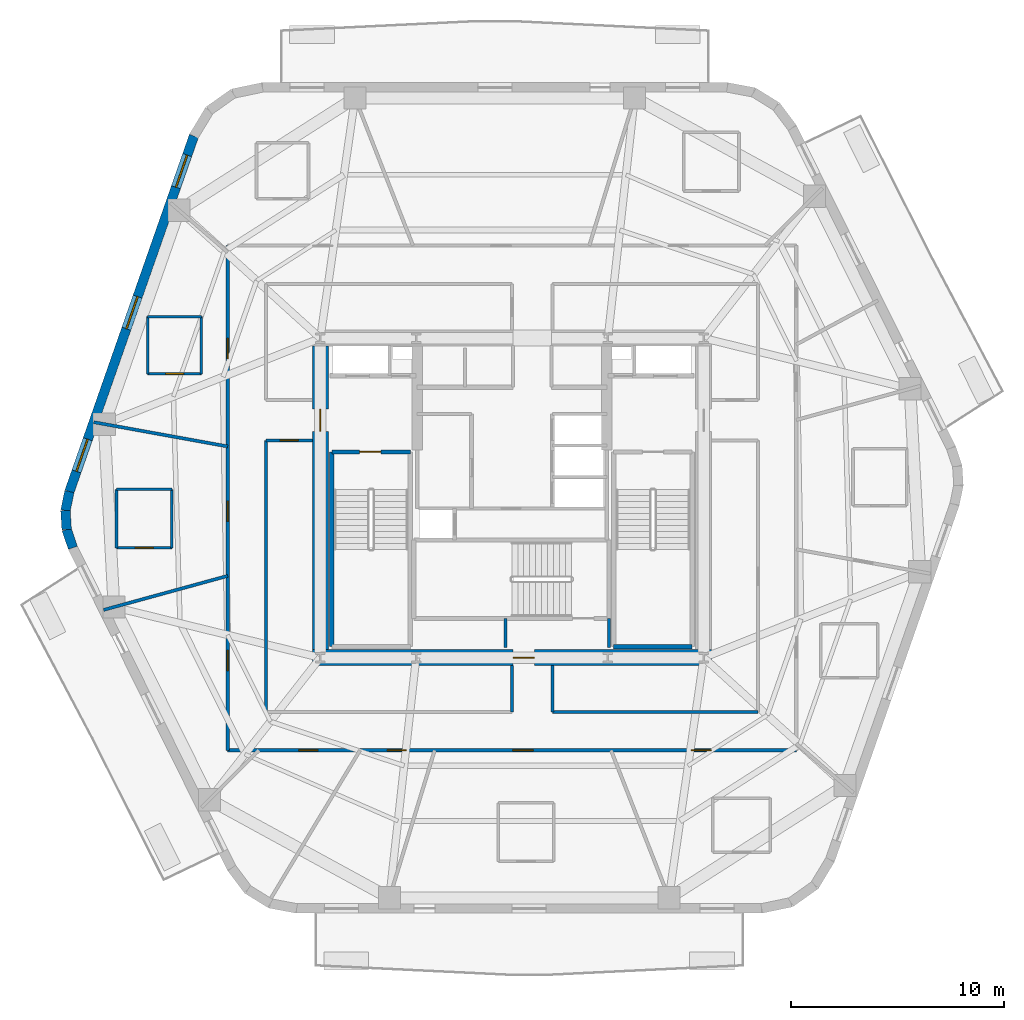
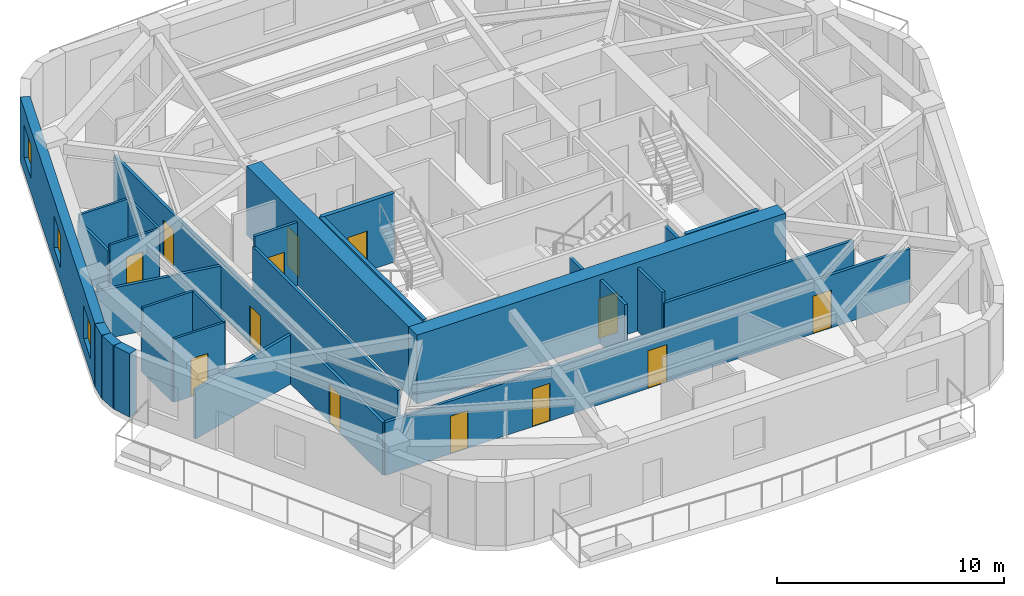
# One storey, part 3 of 10: 28 walls, 13 doors, 3 windows, 16 openings.
"""IFC4 building model written with IfcOpenShell, lengths in metres."""

from ifc_helpers import new_model, si_unit, direction, frame, frame_2d, origin, place, context, subcontext, project, spatial, rectangle, extrude, material, layer, layer_set, type_object, element, fill, save


model = new_model("IFC4")

# Units and contexts
model_context = context("Model", 3, precision=1e-05, world=origin(), true_north=direction((0.0, 1.0)))
body_context = subcontext(model_context, "Body", "Model", "MODEL_VIEW")
ifc_project = project(units=[si_unit("LENGTHUNIT", "METRE"), si_unit("AREAUNIT", "SQUARE_METRE"), si_unit("VOLUMEUNIT", "CUBIC_METRE"), si_unit("PLANEANGLEUNIT", "RADIAN"), si_unit("MASSUNIT", "GRAM", prefix="KILO")], contexts=[model_context])

# Site, building, storey
site_placement = place(None, origin())
site = spatial("IfcSite", under=ifc_project, at=site_placement, CompositionType="ELEMENT")
building_placement = place(site_placement, origin())
building = spatial("IfcBuilding", under=site, at=building_placement, Name="Kilnhurst Terrace Hotel", CompositionType="ELEMENT")
storey_placement = place(building_placement, frame((0.0, 0.0, 190.39990234375)))
storey = spatial("IfcBuildingStorey", under=building, at=storey_placement, Name="L47", CompositionType="ELEMENT", Elevation=190.39990234375)

# Walls
ifc_material_1 = material(Name="Precast concrete C40/50", Category="concrete")
ifc_layer_1 = layer(ifc_material_1, 0.449951171875, Name="Precast concrete C40/50")
ifc_layer_set_1 = layer_set([ifc_layer_1], Name="Precast concrete C40/50")
wall_type_1 = type_object("IfcWallType", Name="WL-BRK-450", PredefinedType="SOLIDWALL", material=ifc_layer_set_1)
wall_1_placement = place(storey_placement, frame((-20.78173828125, 0.298095703125, 0.0), z_axis=(0.0, 0.0, 1.0), x_axis=(-0.202570068411, -0.979267771033, 0.0)))
element("IfcWall", 1, at=wall_1_placement, inside=storey, type_object=wall_type_1, Name="L47 Rounded Corner Brick Wall C6.1", PredefinedType="SOLIDWALL", context=body_context, shape_type="SweptSolid", body=[
    extrude(rectangle(XDim=0.90869140625, YDim=0.449951171875, at=frame_2d((0.454345703125, 0.0))), origin(), (0.0, 0.0, 1.0), 3.400146484375),
])
wall_2_placement = place(storey_placement, frame((-20.9658203125, -0.591796875, 0.0), z_axis=(0.0, 0.0, 1.0), x_axis=(0.061748898935, -0.998091715966, 0.0)))
element("IfcWall", 2, at=wall_2_placement, inside=storey, type_object=wall_type_1, Name="L47 Rounded Corner Brick Wall C6.2", PredefinedType="SOLIDWALL", context=body_context, shape_type="SweptSolid", body=[
    extrude(rectangle(XDim=0.8935546875, YDim=0.449951171875, at=frame_2d((0.44677734375, 0.0))), origin(), (0.0, 0.0, 1.0), 3.400146484375),
])
wall_3_placement = place(storey_placement, frame((-20.91064453125, -1.483642578125, 0.0), z_axis=(0.0, 0.0, 1.0), x_axis=(0.321623334353, -0.946867694453, 0.0)))
element("IfcWall", 3, at=wall_3_placement, inside=storey, type_object=wall_type_1, Name="L47 Rounded Corner Brick Wall C6.3", PredefinedType="SOLIDWALL", context=body_context, shape_type="SweptSolid", body=[
    extrude(rectangle(XDim=0.90869140625, YDim=0.449951171875, at=frame_2d((0.454345703125, 0.0))), origin(), (0.0, 0.0, 1.0), 3.400146484375),
])

# Wall, openings, windows
wall_4_placement = place(storey_placement, frame((-14.936767578125, 16.993408203125, 0.0), z_axis=(0.0, 0.0, 1.0), x_axis=(-0.330431575061, -0.943829949834, 0.0)))
wall_4 = element("IfcWall", 4, at=wall_4_placement, inside=storey, type_object=wall_type_1, Name="L47 Exterior Brick Facade Wall F5", PredefinedType="SOLIDWALL", context=body_context, shape_type="SweptSolid", body=[
    extrude(rectangle(XDim=17.68896484375, YDim=0.449951171875, at=frame_2d((8.844482421875, 0.0))), origin(), (0.0, 0.0, 1.0), 3.400146484375),
])
opening_1_placement = place(wall_4_placement, frame((0.949951171875, 0.0, 0.800048828125)))
opening_1 = element("IfcOpeningElement", 5, at=opening_1_placement, cuts=wall_4, Name="Opening W-05", PredefinedType="OPENING", context=body_context, shape_type="SweptSolid", body=[
    extrude(rectangle(XDim=1.60009765625, YDim=1.75, at=frame_2d((0.800048828125, 0.875))), frame((0.0, 0.23486328125, 0.0), z_axis=(0.0, -1.0, 0.0), x_axis=(1.0, 0.0, 0.0)), (0.0, 0.0, 1.0), 0.469970703125),
])
opening_2_placement = place(wall_4_placement, frame((7.989990234375, 0.0, 0.800048828125)))
opening_2 = element("IfcOpeningElement", 6, at=opening_2_placement, cuts=wall_4, Name="Opening W-05", PredefinedType="OPENING", context=body_context, shape_type="SweptSolid", body=[
    extrude(rectangle(XDim=1.60009765625, YDim=1.75, at=frame_2d((0.800048828125, 0.875))), frame((0.0, 0.23486328125, 0.0), z_axis=(0.0, -1.0, 0.0), x_axis=(1.0, 0.0, 0.0)), (0.0, 0.0, 1.0), 0.469970703125),
])
opening_3_placement = place(wall_4_placement, frame((15.083984375, 0.0, 0.800048828125)))
opening_3 = element("IfcOpeningElement", 7, at=opening_3_placement, cuts=wall_4, Name="Opening W-05", PredefinedType="OPENING", context=body_context, shape_type="SweptSolid", body=[
    extrude(rectangle(XDim=1.60009765625, YDim=1.75, at=frame_2d((0.800048828125, 0.875))), frame((0.0, 0.23486328125, 0.0), z_axis=(0.0, -1.0, 0.0), x_axis=(1.0, 0.0, 0.0)), (0.0, 0.0, 1.0), 0.469970703125),
])
ifc_material_2 = material(Name="Thermally Broken Bronze Aluminium Alloy 6063-T6 and Low-E Glass", Category="aluminium")
window_type = type_object("IfcWindowType", Name="WIN-1600X1750", PartitioningType="SINGLE_PANEL", PredefinedType="WINDOW", material=ifc_material_2)
window_1_placement = place(opening_1_placement, origin())
window_1 = element("IfcWindow", 8, at=window_1_placement, inside=storey, type_object=window_type, Name="L47 Deep-Set Masonry Window F5.1", OverallHeight=1.75, OverallWidth=1.60009765625, PartitioningType="SINGLE_PANEL", PredefinedType="WINDOW", context=body_context, shape_type="SweptSolid", body=[
    extrude(rectangle(XDim=1.60009765625, YDim=1.75, at=frame_2d((0.800048828125, 0.875))), frame((0.0, 0.030029296875, 0.0), z_axis=(0.0, -1.0, 0.0), x_axis=(1.0, 0.0, 0.0)), (0.0, 0.0, 1.0), 0.06005859375),
])
fill(opening_1, window_1)
window_2_placement = place(opening_2_placement, origin())
window_2 = element("IfcWindow", 9, at=window_2_placement, inside=storey, type_object=window_type, Name="L47 Deep-Set Masonry Window F5.2", OverallHeight=1.75, OverallWidth=1.60009765625, PartitioningType="SINGLE_PANEL", PredefinedType="WINDOW", context=body_context, shape_type="SweptSolid", body=[
    extrude(rectangle(XDim=1.60009765625, YDim=1.75, at=frame_2d((0.800048828125, 0.875))), frame((0.0, 0.030029296875, 0.0), z_axis=(0.0, -1.0, 0.0), x_axis=(1.0, 0.0, 0.0)), (0.0, 0.0, 1.0), 0.06005859375),
])
fill(opening_2, window_2)
window_3_placement = place(opening_3_placement, origin())
window_3 = element("IfcWindow", 10, at=window_3_placement, inside=storey, type_object=window_type, Name="L47 Deep-Set Masonry Window F5.3", OverallHeight=1.75, OverallWidth=1.60009765625, PartitioningType="SINGLE_PANEL", PredefinedType="WINDOW", context=body_context, shape_type="SweptSolid", body=[
    extrude(rectangle(XDim=1.60009765625, YDim=1.75, at=frame_2d((0.800048828125, 0.875))), frame((0.0, 0.030029296875, 0.0), z_axis=(0.0, -1.0, 0.0), x_axis=(1.0, 0.0, 0.0)), (0.0, 0.0, 1.0), 0.06005859375),
])
fill(opening_3, window_3)

# Wall, openings, doors
ifc_material_3 = material(Name="Acoustic Double-Gypsum Corridor Partition Assembly")
ifc_layer_2 = layer(ifc_material_3, 0.14990234375, Name="Acoustic Double-Gypsum Corridor Partition Assembly")
ifc_layer_set_2 = layer_set([ifc_layer_2], Name="Acoustic Double-Gypsum Corridor Partition Assembly")
wall_type_2 = type_object("IfcWallType", Name="WL-COR-150", PredefinedType="PARTITIONING", material=ifc_layer_set_2)
wall_5_placement = place(storey_placement, frame((13.35009765625, -11.85009765625, 0.0), z_axis=(0.0, 0.0, 1.0), x_axis=(-1.0, 0.0, 0.0)))
wall_5 = element("IfcWall", 11, at=wall_5_placement, inside=storey, type_object=wall_type_2, Name="L47 Interior Wall WL-L47-COR-01", PredefinedType="PARTITIONING", context=body_context, shape_type="SweptSolid", body=[
    extrude(rectangle(XDim=26.7001953125, YDim=0.14990234375, at=frame_2d((13.35009765625, 0.0))), origin(), (0.0, 0.0, 1.0), 2.840087890625),
])
opening_4_placement = place(wall_5_placement, frame((22.458984375, 0.0, 0.0)))
opening_4 = element("IfcOpeningElement", 12, at=opening_4_placement, cuts=wall_5, Name="Opening D-60C", PredefinedType="OPENING", context=body_context, shape_type="SweptSolid", body=[
    extrude(rectangle(XDim=0.89990234375, YDim=2.030029296875, at=frame_2d((0.449951171875, 1.01513671875))), frame((0.0, 0.0849609375, 0.0), z_axis=(0.0, -1.0, 0.0), x_axis=(1.0, 0.0, 0.0)), (0.0, 0.0, 1.0), 0.169921875),
])
opening_5_placement = place(wall_5_placement, frame((18.303955078125, 0.0, 0.0)))
opening_5 = element("IfcOpeningElement", 13, at=opening_5_placement, cuts=wall_5, Name="Opening D-60C", PredefinedType="OPENING", context=body_context, shape_type="SweptSolid", body=[
    extrude(rectangle(XDim=0.89990234375, YDim=2.030029296875, at=frame_2d((0.449951171875, 1.01513671875))), frame((0.0, 0.0849609375, 0.0), z_axis=(0.0, -1.0, 0.0), x_axis=(1.0, 0.0, 0.0)), (0.0, 0.0, 1.0), 0.169921875),
])
opening_6_placement = place(wall_5_placement, frame((12.362060546875, 0.0, 0.0)))
opening_6 = element("IfcOpeningElement", 14, at=opening_6_placement, cuts=wall_5, Name="Opening D-60B", PredefinedType="OPENING", context=body_context, shape_type="SweptSolid", body=[
    extrude(rectangle(XDim=0.949951171875, YDim=2.030029296875, at=frame_2d((0.47509765625, 1.01513671875))), frame((0.0, 0.0849609375, 0.0), z_axis=(0.0, -1.0, 0.0), x_axis=(1.0, 0.0, 0.0)), (0.0, 0.0, 1.0), 0.169921875),
])
opening_7_placement = place(wall_5_placement, frame((3.9951171875, 0.0, 0.0)))
opening_7 = element("IfcOpeningElement", 15, at=opening_7_placement, cuts=wall_5, Name="Opening D-60B", PredefinedType="OPENING", context=body_context, shape_type="SweptSolid", body=[
    extrude(rectangle(XDim=0.949951171875, YDim=2.030029296875, at=frame_2d((0.47509765625, 1.01513671875))), frame((0.0, 0.0849609375, 0.0), z_axis=(0.0, -1.0, 0.0), x_axis=(1.0, 0.0, 0.0)), (0.0, 0.0, 1.0), 0.169921875),
])
ifc_material_4 = material(Name="Painted Solid-Core Service Fire Door")
door_type_1 = type_object("IfcDoorType", Name="DR-FD60-900", OperationType="NOTDEFINED", PredefinedType="DOOR", material=ifc_material_4)
door_1_placement = place(opening_4_placement, origin())
door_1 = element("IfcDoor", 16, at=door_1_placement, inside=storey, type_object=door_type_1, Name="L47 Botanical Reading Lounge Door 9", OperationType="SINGLE_SWING_LEFT", OverallHeight=2.030029296875, OverallWidth=0.89990234375, PredefinedType="DOOR", context=body_context, shape_type="SweptSolid", body=[
    extrude(rectangle(XDim=0.89990234375, YDim=2.030029296875, at=frame_2d((0.449951171875, 1.01513671875))), frame((0.0, 0.02490234375, 0.0), z_axis=(0.0, -1.0, 0.0), x_axis=(1.0, 0.0, 0.0)), (0.0, 0.0, 1.0), 0.050048828125),
])
fill(opening_4, door_1)
door_2_placement = place(opening_5_placement, origin())
door_2 = element("IfcDoor", 17, at=door_2_placement, inside=storey, type_object=door_type_1, Name="L47 Private Meeting Salon Door 10", OperationType="SINGLE_SWING_RIGHT", OverallHeight=2.030029296875, OverallWidth=0.89990234375, PredefinedType="DOOR", context=body_context, shape_type="SweptSolid", body=[
    extrude(rectangle(XDim=0.89990234375, YDim=2.030029296875, at=frame_2d((0.449951171875, 1.01513671875))), frame((0.0, 0.02490234375, 0.0), z_axis=(0.0, -1.0, 0.0), x_axis=(1.0, 0.0, 0.0)), (0.0, 0.0, 1.0), 0.050048828125),
])
fill(opening_5, door_2)
ifc_material_5 = material(Name="Acoustic Walnut Veneer Solid-Core Fire Door")
door_type_2 = type_object("IfcDoorType", Name="DR-FD60-950", OperationType="NOTDEFINED", PredefinedType="DOOR", material=ifc_material_5)
door_3_placement = place(opening_6_placement, origin())
door_3 = element("IfcDoor", 18, at=door_3_placement, inside=storey, type_object=door_type_2, Name="L47 Executive Suite Entry Door 11", OperationType="SINGLE_SWING_LEFT", OverallHeight=2.030029296875, OverallWidth=0.949951171875, PredefinedType="DOOR", context=body_context, shape_type="SweptSolid", body=[
    extrude(rectangle(XDim=0.949951171875, YDim=2.030029296875, at=frame_2d((0.47509765625, 1.01513671875))), frame((0.0, 0.02490234375, 0.0), z_axis=(0.0, -1.0, 0.0), x_axis=(1.0, 0.0, 0.0)), (0.0, 0.0, 1.0), 0.050048828125),
])
fill(opening_6, door_3)
door_4_placement = place(opening_7_placement, origin())
door_4 = element("IfcDoor", 19, at=door_4_placement, inside=storey, type_object=door_type_2, Name="L47 Executive Suite Entry Door 12", OperationType="SINGLE_SWING_RIGHT", OverallHeight=2.030029296875, OverallWidth=0.949951171875, PredefinedType="DOOR", context=body_context, shape_type="SweptSolid", body=[
    extrude(rectangle(XDim=0.949951171875, YDim=2.030029296875, at=frame_2d((0.47509765625, 1.01513671875))), frame((0.0, 0.02490234375, 0.0), z_axis=(0.0, -1.0, 0.0), x_axis=(1.0, 0.0, 0.0)), (0.0, 0.0, 1.0), 0.050048828125),
])
fill(opening_7, door_4)

wall_6_placement = place(storey_placement, frame((-13.35009765625, -11.85009765625, 0.0), z_axis=(0.0, 0.0, 1.0), x_axis=(0.0, 1.0, 0.0)))
wall_6 = element("IfcWall", 20, at=wall_6_placement, inside=storey, type_object=wall_type_2, Name="L47 Interior Wall WL-L47-COR-02", PredefinedType="PARTITIONING", context=body_context, shape_type="SweptSolid", body=[
    extrude(rectangle(XDim=23.7001953125, YDim=0.14990234375, at=frame_2d((11.85009765625, 0.0))), origin(), (0.0, 0.0, 1.0), 2.840087890625),
])
opening_8_placement = place(wall_6_placement, frame((18.388916015625, 0.0, 0.0)))
opening_8 = element("IfcOpeningElement", 21, at=opening_8_placement, cuts=wall_6, Name="Opening D-60B", PredefinedType="OPENING", context=body_context, shape_type="SweptSolid", body=[
    extrude(rectangle(XDim=0.949951171875, YDim=2.030029296875, at=frame_2d((0.47509765625, 1.01513671875))), frame((0.0, 0.0849609375, 0.0), z_axis=(0.0, -1.0, 0.0), x_axis=(1.0, 0.0, 0.0)), (0.0, 0.0, 1.0), 0.169921875),
])
opening_9_placement = place(wall_6_placement, frame((10.7509765625, 0.0, 0.0)))
opening_9 = element("IfcOpeningElement", 22, at=opening_9_placement, cuts=wall_6, Name="Opening D-60B", PredefinedType="OPENING", context=body_context, shape_type="SweptSolid", body=[
    extrude(rectangle(XDim=0.949951171875, YDim=2.030029296875, at=frame_2d((0.47509765625, 1.01513671875))), frame((0.0, 0.0849609375, 0.0), z_axis=(0.0, -1.0, 0.0), x_axis=(1.0, 0.0, 0.0)), (0.0, 0.0, 1.0), 0.169921875),
])
opening_10_placement = place(wall_6_placement, frame((3.739990234375, 0.0, 0.0)))
opening_10 = element("IfcOpeningElement", 23, at=opening_10_placement, cuts=wall_6, Name="Opening D-60B", PredefinedType="OPENING", context=body_context, shape_type="SweptSolid", body=[
    extrude(rectangle(XDim=0.949951171875, YDim=2.030029296875, at=frame_2d((0.47509765625, 1.01513671875))), frame((0.0, 0.0849609375, 0.0), z_axis=(0.0, -1.0, 0.0), x_axis=(1.0, 0.0, 0.0)), (0.0, 0.0, 1.0), 0.169921875),
])
door_5_placement = place(opening_8_placement, origin())
door_5 = element("IfcDoor", 24, at=door_5_placement, inside=storey, type_object=door_type_2, Name="L47 Guest Room Entry Door 6", OperationType="SINGLE_SWING_RIGHT", OverallHeight=2.030029296875, OverallWidth=0.949951171875, PredefinedType="DOOR", context=body_context, shape_type="SweptSolid", body=[
    extrude(rectangle(XDim=0.949951171875, YDim=2.030029296875, at=frame_2d((0.47509765625, 1.01513671875))), frame((0.0, 0.02490234375, 0.0), z_axis=(0.0, -1.0, 0.0), x_axis=(1.0, 0.0, 0.0)), (0.0, 0.0, 1.0), 0.050048828125),
])
fill(opening_8, door_5)
door_6_placement = place(opening_9_placement, origin())
door_6 = element("IfcDoor", 25, at=door_6_placement, inside=storey, type_object=door_type_2, Name="L47 Executive Suite Entry Door 7", OperationType="SINGLE_SWING_LEFT", OverallHeight=2.030029296875, OverallWidth=0.949951171875, PredefinedType="DOOR", context=body_context, shape_type="SweptSolid", body=[
    extrude(rectangle(XDim=0.949951171875, YDim=2.030029296875, at=frame_2d((0.47509765625, 1.01513671875))), frame((0.0, 0.02490234375, 0.0), z_axis=(0.0, -1.0, 0.0), x_axis=(1.0, 0.0, 0.0)), (0.0, 0.0, 1.0), 0.050048828125),
])
fill(opening_9, door_6)
door_7_placement = place(opening_10_placement, origin())
door_7 = element("IfcDoor", 26, at=door_7_placement, inside=storey, type_object=door_type_2, Name="L47 Fitness Studio Door", OperationType="SINGLE_SWING_RIGHT", OverallHeight=2.030029296875, OverallWidth=0.949951171875, PredefinedType="DOOR", context=body_context, shape_type="SweptSolid", body=[
    extrude(rectangle(XDim=0.949951171875, YDim=2.030029296875, at=frame_2d((0.47509765625, 1.01513671875))), frame((0.0, 0.02490234375, 0.0), z_axis=(0.0, -1.0, 0.0), x_axis=(1.0, 0.0, 0.0)), (0.0, 0.0, 1.0), 0.050048828125),
])
fill(opening_10, door_7)

# Wall, opening, door
wall_7_placement = place(storey_placement, frame((-9.375, 2.699951171875, 0.0), z_axis=(0.0, 0.0, 1.0), x_axis=(-1.0, 0.0, 0.0)))
wall_7 = element("IfcWall", 27, at=wall_7_placement, inside=storey, type_object=wall_type_2, Name="L47 Interior Wall WL-L47-COR-15", PredefinedType="PARTITIONING", context=body_context, shape_type="SweptSolid", body=[
    extrude(rectangle(XDim=2.175048828125, YDim=0.14990234375, at=frame_2d((1.08740234375, 0.0))), origin(), (0.0, 0.0, 1.0), 3.400146484375),
])
opening_11_placement = place(wall_7_placement, frame((0.6630859375, 0.0, 0.0)))
opening_11 = element("IfcOpeningElement", 28, at=opening_11_placement, cuts=wall_7, Name="Opening D-60D", PredefinedType="OPENING", context=body_context, shape_type="SweptSolid", body=[
    extrude(rectangle(XDim=0.85009765625, YDim=2.030029296875, at=frame_2d((0.425048828125, 1.01513671875))), frame((0.0, 0.0849609375, 0.0), z_axis=(0.0, -1.0, 0.0), x_axis=(1.0, 0.0, 0.0)), (0.0, 0.0, 1.0), 0.169921875),
])
ifc_material_6 = material(Name="Painted Hollow Metal Steel ASTM A36 Riser Door", Category="steel")
door_type_3 = type_object("IfcDoorType", Name="DR-FD60-850", OperationType="NOTDEFINED", PredefinedType="DOOR", material=ifc_material_6)
door_8_placement = place(opening_11_placement, origin())
door_8 = element("IfcDoor", 29, at=door_8_placement, inside=storey, type_object=door_type_3, Name="L47 Floor Linen Storage Room Door", OperationType="SINGLE_SWING_LEFT", OverallHeight=2.030029296875, OverallWidth=0.85009765625, PredefinedType="DOOR", context=body_context, shape_type="SweptSolid", body=[
    extrude(rectangle(XDim=0.85009765625, YDim=2.030029296875, at=frame_2d((0.425048828125, 1.01513671875))), frame((0.0, 0.02490234375, 0.0), z_axis=(0.0, -1.0, 0.0), x_axis=(1.0, 0.0, 0.0)), (0.0, 0.0, 1.0), 0.050048828125),
])
fill(opening_11, door_8)

# Walls
wall_8_placement = place(storey_placement, frame((-11.550048828125, 2.699951171875, 0.0), z_axis=(0.0, 0.0, 1.0), x_axis=(0.0, -1.0, 0.0)))
element("IfcWall", 30, at=wall_8_placement, inside=storey, type_object=wall_type_2, Name="L47 Interior Wall WL-L47-COR-16", PredefinedType="PARTITIONING", context=body_context, shape_type="SweptSolid", body=[
    extrude(rectangle(XDim=12.75, YDim=0.14990234375, at=frame_2d((6.375, 0.0))), origin(), (0.0, 0.0, 1.0), 2.840087890625),
])
for number, where, z_axis, x_axis, name in (
    (31, (0.0, -10.050048828125, 0.0), (0.0, 0.0, 1.0), (0.0, 1.0, 0.0), "L47 Interior Wall WL-L47-COR-18"),
    (32, (1.89990234375, -7.875, 0.0), (0.0, 0.0, 1.0), (0.0, -1.0, 0.0), "L47 Interior Wall WL-L47-COR-19"),
):
    element("IfcWall", number, at=place(storey_placement, frame(where, z_axis=z_axis, x_axis=x_axis)), inside=storey, type_object=wall_type_2, Name=name, PredefinedType="PARTITIONING", context=body_context, shape_type="SweptSolid", body=[
        extrude(rectangle(XDim=2.175048828125, YDim=0.14990234375, at=frame_2d((1.08740234375, 0.0))), origin(), (0.0, 0.0, 1.0), 3.400146484375),
    ])
wall_9_placement = place(storey_placement, frame((1.89990234375, -10.050048828125, 0.0), z_axis=(0.0, 0.0, 1.0), x_axis=(1.0, 0.0, 0.0)))
element("IfcWall", 33, at=wall_9_placement, inside=storey, type_object=wall_type_2, Name="L47 Interior Wall WL-L47-COR-20", PredefinedType="PARTITIONING", context=body_context, shape_type="SweptSolid", body=[
    extrude(rectangle(XDim=9.650146484375, YDim=0.14990234375, at=frame_2d((4.8251953125, 0.0))), origin(), (0.0, 0.0, 1.0), 2.840087890625),
])

# Wall, opening, door
ifc_material_7 = material(Name="Concrete C60/75", Category="concrete")
ifc_layer_3 = layer(ifc_material_7, 0.75, Name="Concrete C60/75")
ifc_layer_set_3 = layer_set([ifc_layer_3], Name="Concrete C60/75")
wall_type_3 = type_object("IfcWallType", Name="WL-CORE-750", PredefinedType="SHEAR", material=ifc_layer_set_3)
wall_10_placement = place(storey_placement, frame((-9.375, -7.5, 0.0), z_axis=(0.0, 0.0, 1.0), x_axis=(1.0, 0.0, 0.0)))
wall_10 = element("IfcWall", 34, at=wall_10_placement, inside=storey, type_object=wall_type_3, Name="L47 Core South Shear Wall", PredefinedType="SHEAR", context=body_context, shape_type="SweptSolid", body=[
    extrude(rectangle(XDim=18.75, YDim=0.75, at=frame_2d((9.375, 0.0))), origin(), (0.0, 0.0, 1.0), 3.7001953125),
])
opening_12_placement = place(wall_10_placement, frame((9.425048828125, 0.0, 0.0)))
opening_12 = element("IfcOpeningElement", 35, at=opening_12_placement, cuts=wall_10, Name="Opening D-90B", PredefinedType="OPENING", context=body_context, shape_type="SweptSolid", body=[
    extrude(rectangle(XDim=1.0, YDim=2.14990234375, at=frame_2d((0.5, 1.074951171875))), frame((0.0, 0.385009765625, 0.0), z_axis=(0.0, -1.0, 0.0), x_axis=(1.0, 0.0, 0.0)), (0.0, 0.0, 1.0), 0.77001953125),
])
ifc_material_8 = material(Name="Painted Hollow Metal Steel ASTM A36 Fire Door", Category="steel")
door_type_4 = type_object("IfcDoorType", Name="DR-FD90-1000", OperationType="NOTDEFINED", PredefinedType="DOOR", material=ifc_material_8)
door_9_placement = place(opening_12_placement, origin())
door_9 = element("IfcDoor", 36, at=door_9_placement, inside=storey, type_object=door_type_4, Name="L47 Stair ST-3 Corridor Door", OperationType="SINGLE_SWING_RIGHT", OverallHeight=2.14990234375, OverallWidth=1.0, PredefinedType="DOOR", context=body_context, shape_type="SweptSolid", body=[
    extrude(rectangle(XDim=1.0, YDim=2.14990234375, at=frame_2d((0.5, 1.074951171875))), frame((0.0, 0.02490234375, 0.0), z_axis=(0.0, -1.0, 0.0), x_axis=(1.0, 0.0, 0.0)), (0.0, 0.0, 1.0), 0.050048828125),
])
fill(opening_12, door_9)

wall_11_placement = place(storey_placement, frame((-9.0, -7.125, 0.0), z_axis=(0.0, 0.0, 1.0), x_axis=(0.0, 1.0, 0.0)))
wall_11 = element("IfcWall", 37, at=wall_11_placement, inside=storey, type_object=wall_type_3, Name="L47 Core West Shear Wall", PredefinedType="SHEAR", context=body_context, shape_type="SweptSolid", body=[
    extrude(rectangle(XDim=14.25, YDim=0.75, at=frame_2d((7.125, 0.0))), origin(), (0.0, 0.0, 1.0), 3.7001953125),
])
opening_13_placement = place(wall_11_placement, frame((10.25, 0.0, 0.0)))
opening_13 = element("IfcOpeningElement", 38, at=opening_13_placement, cuts=wall_11, Name="Opening D-90A", PredefinedType="OPENING", context=body_context, shape_type="SweptSolid", body=[
    extrude(rectangle(XDim=1.050048828125, YDim=2.14990234375, at=frame_2d((0.52490234375, 1.074951171875))), frame((0.0, 0.385009765625, 0.0), z_axis=(0.0, -1.0, 0.0), x_axis=(1.0, 0.0, 0.0)), (0.0, 0.0, 1.0), 0.77001953125),
])
door_type_5 = type_object("IfcDoorType", Name="DR-FD90-1050", OperationType="NOTDEFINED", PredefinedType="DOOR", material=ifc_material_8)
door_10_placement = place(opening_13_placement, origin())
door_10 = element("IfcDoor", 39, at=door_10_placement, inside=storey, type_object=door_type_5, Name="L47 West Firefighting Lobby Door", OperationType="SINGLE_SWING_RIGHT", OverallHeight=2.14990234375, OverallWidth=1.050048828125, PredefinedType="DOOR", context=body_context, shape_type="SweptSolid", body=[
    extrude(rectangle(XDim=1.050048828125, YDim=2.14990234375, at=frame_2d((0.52490234375, 1.074951171875))), frame((0.0, 0.02490234375, 0.0), z_axis=(0.0, -1.0, 0.0), x_axis=(1.0, 0.0, 0.0)), (0.0, 0.0, 1.0), 0.050048828125),
])
fill(opening_13, door_10)

# Walls
ifc_material_9 = material(Name="STC-58 Acoustic Twin-Frame Guestroom Demising Partition")
ifc_layer_4 = layer(ifc_material_9, 0.14990234375, Name="STC-58 Acoustic Twin-Frame Guestroom Demising Partition")
ifc_layer_set_4 = layer_set([ifc_layer_4], Name="STC-58 Acoustic Twin-Frame Guestroom Demising Partition")
wall_type_4 = type_object("IfcWallType", Name="WL-DEM-150", PredefinedType="PARTITIONING", material=ifc_layer_set_4)
wall_12_placement = place(storey_placement, frame((-13.35009765625, 2.417236328125, 0.0), z_axis=(0.0, 0.0, 1.0), x_axis=(-0.98399796473, 0.178179699761, 0.0)))
element("IfcWall", 40, at=wall_12_placement, inside=storey, type_object=wall_type_4, Name="L47 Interior Wall WL-L47-DEM-COL06-07-1", PredefinedType="PARTITIONING", context=body_context, shape_type="SweptSolid", body=[
    extrude(rectangle(XDim=6.393310546875, YDim=0.14990234375, at=frame_2d((3.19677734375, 0.0))), origin(), (0.0, 0.0, 1.0), 2.64013671875),
])
wall_13_placement = place(storey_placement, frame((-13.35009765625, -3.66064453125, 0.0), z_axis=(0.0, 0.0, 1.0), x_axis=(-0.964397145454, -0.264458211898, 0.0)))
element("IfcWall", 41, at=wall_13_placement, inside=storey, type_object=wall_type_4, Name="L47 Interior Wall WL-L47-DEM-COL07-08-1", PredefinedType="PARTITIONING", context=body_context, shape_type="SweptSolid", body=[
    extrude(rectangle(XDim=6.03857421875, YDim=0.14990234375, at=frame_2d((3.019287109375, 0.0))), origin(), (0.0, 0.0, 1.0), 2.64013671875),
])

# Wall, opening, door
ifc_material_10 = material(Name="120 mm Moisture-Resistant Tile-Backed Bathroom Partition")
ifc_layer_5 = layer(ifc_material_10, 0.1201171875, Name="120 mm Moisture-Resistant Tile-Backed Bathroom Partition")
ifc_layer_set_5 = layer_set([ifc_layer_5], Name="120 mm Moisture-Resistant Tile-Backed Bathroom Partition")
wall_type_5 = type_object("IfcWallType", Name="WL-PART-120", PredefinedType="PARTITIONING", material=ifc_layer_set_5)
wall_14_placement = place(storey_placement, frame((-17.10302734375, 5.8291015625, 0.0), z_axis=(0.0, 0.0, 1.0), x_axis=(1.0, 0.0, 0.0)))
wall_14 = element("IfcWall", 42, at=wall_14_placement, inside=storey, type_object=wall_type_5, Name="L47 Interior Wall WL-L47-BTH-06-1", PredefinedType="PARTITIONING", context=body_context, shape_type="SweptSolid", body=[
    extrude(rectangle(XDim=2.52001953125, YDim=0.1201171875, at=frame_2d((1.260009765625, 0.0))), origin(), (0.0, 0.0, 1.0), 2.972412109375),
])
opening_14_placement = place(wall_14_placement, frame((0.8349609375, 0.0, 0.0)))
opening_14 = element("IfcOpeningElement", 43, at=opening_14_placement, cuts=wall_14, Name="Opening D-08A", PredefinedType="OPENING", context=body_context, shape_type="SweptSolid", body=[
    extrude(rectangle(XDim=0.85009765625, YDim=2.030029296875, at=frame_2d((0.425048828125, 1.01513671875))), frame((0.0, 0.070068359375, 0.0), z_axis=(0.0, -1.0, 0.0), x_axis=(1.0, 0.0, 0.0)), (0.0, 0.0, 1.0), 0.14013671875),
])
ifc_material_11 = material(Name="Moisture-Resistant Lacquered En-suite Bathroom Door")
door_type_6 = type_object("IfcDoorType", Name="DR-INT-850", OperationType="NOTDEFINED", PredefinedType="DOOR", material=ifc_material_11)
door_11_placement = place(opening_14_placement, origin())
door_11 = element("IfcDoor", 44, at=door_11_placement, inside=storey, type_object=door_type_6, Name="L47 En-suite Bathroom Door 6", OperationType="SINGLE_SWING_LEFT", OverallHeight=2.030029296875, OverallWidth=0.85009765625, PredefinedType="DOOR", context=body_context, shape_type="SweptSolid", body=[
    extrude(rectangle(XDim=0.85009765625, YDim=2.030029296875, at=frame_2d((0.425048828125, 1.01513671875))), frame((0.0, 0.02490234375, 0.0), z_axis=(0.0, -1.0, 0.0), x_axis=(1.0, 0.0, 0.0)), (0.0, 0.0, 1.0), 0.050048828125),
])
fill(opening_14, door_11)

# Walls
wall_15_placement = place(storey_placement, frame((-14.5830078125, 5.8291015625, 0.0), z_axis=(0.0, 0.0, 1.0), x_axis=(0.0, 1.0, 0.0)))
element("IfcWall", 45, at=wall_15_placement, inside=storey, type_object=wall_type_5, Name="L47 Interior Wall WL-L47-BTH-06-2", PredefinedType="PARTITIONING", context=body_context, shape_type="SweptSolid", body=[
    extrude(rectangle(XDim=2.679931640625, YDim=0.1201171875, at=frame_2d((1.33984375, 0.0))), origin(), (0.0, 0.0, 1.0), 2.972412109375),
])
wall_16_placement = place(storey_placement, frame((-14.5830078125, 8.509033203125, 0.0), z_axis=(0.0, 0.0, 1.0), x_axis=(-1.0, 0.0, 0.0)))
element("IfcWall", 46, at=wall_16_placement, inside=storey, type_object=wall_type_5, Name="L47 Interior Wall WL-L47-BTH-06-3", PredefinedType="PARTITIONING", context=body_context, shape_type="SweptSolid", body=[
    extrude(rectangle(XDim=2.52001953125, YDim=0.1201171875, at=frame_2d((1.260009765625, 0.0))), origin(), (0.0, 0.0, 1.0), 2.972412109375),
])
wall_17_placement = place(storey_placement, frame((-17.10302734375, 8.509033203125, 0.0), z_axis=(0.0, 0.0, 1.0), x_axis=(0.0, -1.0, 0.0)))
element("IfcWall", 47, at=wall_17_placement, inside=storey, type_object=wall_type_5, Name="L47 Interior Wall WL-L47-BTH-06-4", PredefinedType="PARTITIONING", context=body_context, shape_type="SweptSolid", body=[
    extrude(rectangle(XDim=2.679931640625, YDim=0.1201171875, at=frame_2d((1.33984375, 0.0))), origin(), (0.0, 0.0, 1.0), 2.64013671875),
])

# Wall, opening, door
wall_18_placement = place(storey_placement, frame((-18.570068359375, -2.347900390625, 0.0), z_axis=(0.0, 0.0, 1.0), x_axis=(1.0, 0.0, 0.0)))
wall_18 = element("IfcWall", 48, at=wall_18_placement, inside=storey, type_object=wall_type_5, Name="L47 Interior Wall WL-L47-BTH-07-1", PredefinedType="PARTITIONING", context=body_context, shape_type="SweptSolid", body=[
    extrude(rectangle(XDim=2.60009765625, YDim=0.1201171875, at=frame_2d((1.300048828125, 0.0))), origin(), (0.0, 0.0, 1.0), 3.400146484375),
])
opening_15_placement = place(wall_18_placement, frame((0.875, 0.0, 0.0)))
opening_15 = element("IfcOpeningElement", 49, at=opening_15_placement, cuts=wall_18, Name="Opening D-08A", PredefinedType="OPENING", context=body_context, shape_type="SweptSolid", body=[
    extrude(rectangle(XDim=0.85009765625, YDim=2.030029296875, at=frame_2d((0.425048828125, 1.01513671875))), frame((0.0, 0.070068359375, 0.0), z_axis=(0.0, -1.0, 0.0), x_axis=(1.0, 0.0, 0.0)), (0.0, 0.0, 1.0), 0.14013671875),
])
door_12_placement = place(opening_15_placement, origin())
door_12 = element("IfcDoor", 50, at=door_12_placement, inside=storey, type_object=door_type_6, Name="L47 En-suite Bathroom Door 7", OperationType="SINGLE_SWING_RIGHT", OverallHeight=2.030029296875, OverallWidth=0.85009765625, PredefinedType="DOOR", context=body_context, shape_type="SweptSolid", body=[
    extrude(rectangle(XDim=0.85009765625, YDim=2.030029296875, at=frame_2d((0.425048828125, 1.01513671875))), frame((0.0, 0.02490234375, 0.0), z_axis=(0.0, -1.0, 0.0), x_axis=(1.0, 0.0, 0.0)), (0.0, 0.0, 1.0), 0.050048828125),
])
fill(opening_15, door_12)

# Walls
wall_19_placement = place(storey_placement, frame((-15.969970703125, -2.347900390625, 0.0), z_axis=(0.0, 0.0, 1.0), x_axis=(0.0, 1.0, 0.0)))
element("IfcWall", 51, at=wall_19_placement, inside=storey, type_object=wall_type_5, Name="L47 Interior Wall WL-L47-BTH-07-2", PredefinedType="PARTITIONING", context=body_context, shape_type="SweptSolid", body=[
    extrude(rectangle(XDim=2.75, YDim=0.1201171875, at=frame_2d((1.375, 0.0))), origin(), (0.0, 0.0, 1.0), 3.400146484375),
])
wall_20_placement = place(storey_placement, frame((-15.969970703125, 0.402099609375, 0.0), z_axis=(0.0, 0.0, 1.0), x_axis=(-1.0, 0.0, 0.0)))
element("IfcWall", 52, at=wall_20_placement, inside=storey, type_object=wall_type_5, Name="L47 Interior Wall WL-L47-BTH-07-3", PredefinedType="PARTITIONING", context=body_context, shape_type="SweptSolid", body=[
    extrude(rectangle(XDim=2.60009765625, YDim=0.1201171875, at=frame_2d((1.300048828125, 0.0))), origin(), (0.0, 0.0, 1.0), 3.400146484375),
])
wall_21_placement = place(storey_placement, frame((-18.570068359375, 0.402099609375, 0.0), z_axis=(0.0, 0.0, 1.0), x_axis=(0.0, -1.0, 0.0)))
element("IfcWall", 53, at=wall_21_placement, inside=storey, type_object=wall_type_5, Name="L47 Interior Wall WL-L47-BTH-07-4", PredefinedType="PARTITIONING", context=body_context, shape_type="SweptSolid", body=[
    extrude(rectangle(XDim=2.75, YDim=0.1201171875, at=frame_2d((1.375, 0.0))), origin(), (0.0, 0.0, 1.0), 2.64013671875),
])
ifc_material_12 = material(Name="Fire-Rated Gypsum Shaftliner Assembly")
ifc_layer_6 = layer(ifc_material_12, 0.14990234375, Name="Fire-Rated Gypsum Shaftliner Assembly")
ifc_layer_set_6 = layer_set([ifc_layer_6], Name="Fire-Rated Gypsum Shaftliner Assembly")
wall_type_6 = type_object("IfcWallType", Name="WL-SHAFT-150", PredefinedType="PARTITIONING", material=ifc_layer_set_6)
for number, where, z_axis, x_axis, name in (
    (54, (-0.300048828125, -7.02001953125, 0.0), (0.0, 0.0, 1.0), (0.0, 1.0, 0.0), "L47 Interior Wall WL-L47-ST3-PSGW"),
    (55, (4.55810546875, -7.02001953125, 0.0), (0.0, 0.0, 1.0), (0.0, 1.0, 0.0), "L47 Interior Wall WL-L47-ST3-PSGE"),
):
    element("IfcWall", number, at=place(storey_placement, frame(where, z_axis=z_axis, x_axis=x_axis)), inside=storey, type_object=wall_type_6, Name=name, PredefinedType="PARTITIONING", context=body_context, shape_type="SweptSolid", body=[
        extrude(rectangle(XDim=1.362060546875, YDim=0.14990234375, at=frame_2d((0.68115234375, 0.0))), origin(), (0.0, 0.0, 1.0), 3.400146484375),
    ])
ifc_material_13 = material(Name="Concrete C50/60", Category="concrete")
ifc_layer_7 = layer(ifc_material_13, 0.199951171875, Name="Concrete C50/60")
ifc_layer_set_7 = layer_set([ifc_layer_7], Name="Concrete C50/60")
wall_type_7 = type_object("IfcWallType", Name="WL-STAIR-RC-200", PredefinedType="SHEAR", material=ifc_layer_set_7)
wall_22_placement = place(storey_placement, frame((-8.4580078125, -6.985107421875, 0.0), z_axis=(0.0, 0.0, 1.0), x_axis=(0.0, 1.0, 0.0)))
element("IfcWall", 56, at=wall_22_placement, inside=storey, type_object=wall_type_7, Name="L47 Structural Stair Shaft Wall WL-L47-ST1-W", PredefinedType="SHEAR", context=body_context, shape_type="SweptSolid", body=[
    extrude(rectangle(XDim=9.14306640625, YDim=0.199951171875, at=frame_2d((4.571533203125, 0.0))), origin(), (0.0, 0.0, 1.0), 3.7001953125),
])

# Wall, opening, door
wall_23_placement = place(storey_placement, frame((-8.4580078125, 2.157958984375, 0.0), z_axis=(0.0, 0.0, 1.0), x_axis=(1.0, 0.0, 0.0)))
wall_23 = element("IfcWall", 57, at=wall_23_placement, inside=storey, type_object=wall_type_7, Name="L47 Structural Stair Shaft Wall WL-L47-ST1-N", PredefinedType="SHEAR", context=body_context, shape_type="SweptSolid", body=[
    extrude(rectangle(XDim=3.68603515625, YDim=0.199951171875, at=frame_2d((1.843017578125, 0.0))), origin(), (0.0, 0.0, 1.0), 3.7001953125),
])
opening_16_placement = place(wall_23_placement, frame((1.300048828125, 0.0, 0.0)))
opening_16 = element("IfcOpeningElement", 58, at=opening_16_placement, cuts=wall_23, Name="Opening D-90B", PredefinedType="OPENING", context=body_context, shape_type="SweptSolid", body=[
    extrude(rectangle(XDim=1.0, YDim=2.14990234375, at=frame_2d((0.5, 1.074951171875))), frame((0.0, 0.10986328125, 0.0), z_axis=(0.0, -1.0, 0.0), x_axis=(1.0, 0.0, 0.0)), (0.0, 0.0, 1.0), 0.219970703125),
])
door_13_placement = place(opening_16_placement, origin())
door_13 = element("IfcDoor", 59, at=door_13_placement, inside=storey, type_object=door_type_4, Name="L47 Stair ST-1 Door", OperationType="SINGLE_SWING_LEFT", OverallHeight=2.14990234375, OverallWidth=1.0, PredefinedType="DOOR", context=body_context, shape_type="SweptSolid", body=[
    extrude(rectangle(XDim=1.0, YDim=2.14990234375, at=frame_2d((0.5, 1.074951171875))), frame((0.0, 0.02490234375, 0.0), z_axis=(0.0, -1.0, 0.0), x_axis=(1.0, 0.0, 0.0)), (0.0, 0.0, 1.0), 0.050048828125),
])
fill(opening_16, door_13)

# Wall
wall_24_placement = place(storey_placement, frame((4.77197265625, -6.985107421875, 0.0), z_axis=(0.0, 0.0, 1.0), x_axis=(1.0, 0.0, 0.0)))
element("IfcWall", 60, at=wall_24_placement, inside=storey, type_object=wall_type_7, Name="L47 Structural Stair Shaft Wall WL-L47-ST2-S", PredefinedType="SHEAR", context=body_context, shape_type="SweptSolid", body=[
    extrude(rectangle(XDim=3.68603515625, YDim=0.199951171875, at=frame_2d((1.843017578125, 0.0))), origin(), (0.0, 0.0, 1.0), 3.7001953125),
])

save(model, "model.ifc")
